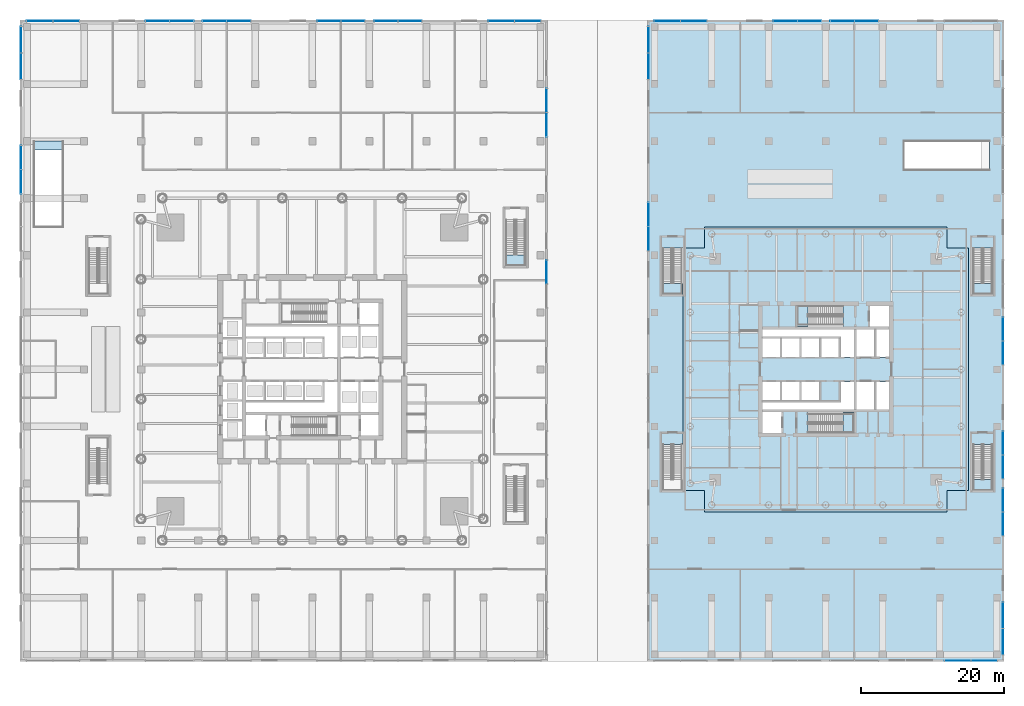
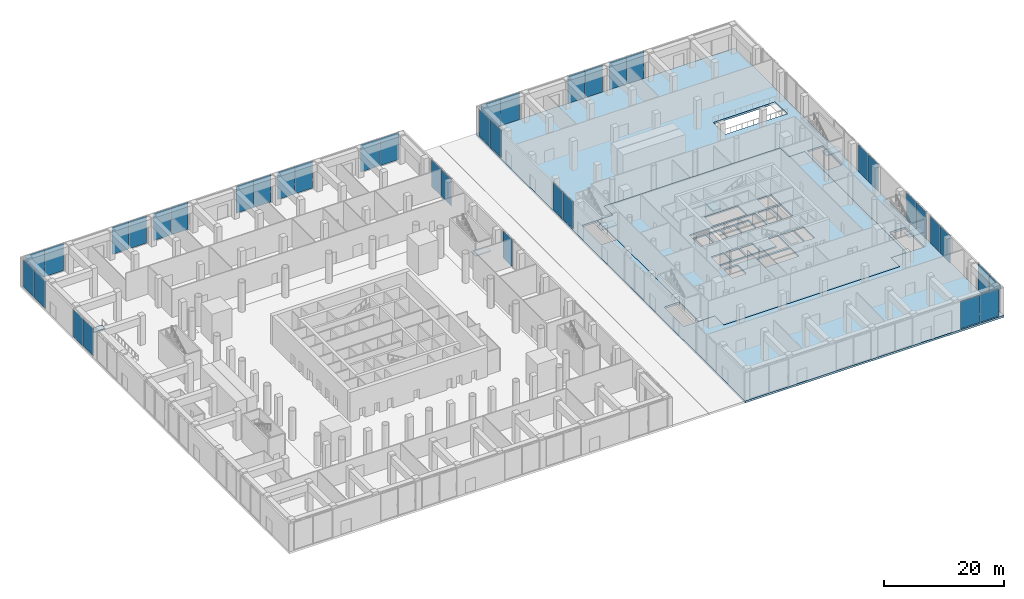
# One storey, part 22 of 39: 40 plates, 8 slabs, 26 elements without a shape of their own.
"""IFC4 building model written with IfcOpenShell, lengths in metres."""

from ifc_helpers import new_model, si_unit, direction, frame, origin, origin_2d, place, context, subcontext, project, spatial, polyline, rectangle, outline, extrude, material, layer, layer_set, type_object, element, aggregate, save


model = new_model("IFC4")

# Units and contexts
model_context = context("Model", 3, precision=1e-05, world=origin(), true_north=direction((0.0, 1.0)))
body_context = subcontext(model_context, "Body", "Model", "MODEL_VIEW")
ifc_project = project(units=[si_unit("LENGTHUNIT", "METRE"), si_unit("AREAUNIT", "SQUARE_METRE"), si_unit("VOLUMEUNIT", "CUBIC_METRE"), si_unit("PLANEANGLEUNIT", "RADIAN"), si_unit("MASSUNIT", "GRAM", prefix="KILO")], contexts=[model_context])

# Site, building, storey
site_placement = place(None, origin())
site = spatial("IfcSite", under=ifc_project, at=site_placement, CompositionType="ELEMENT")
building_placement = place(site_placement, origin())
building = spatial("IfcBuilding", under=site, at=building_placement, Name="Ostroluk Exchange", CompositionType="ELEMENT")
storey_placement = place(building_placement, origin())
storey = spatial("IfcBuildingStorey", under=building, at=storey_placement, Name="L00", CompositionType="ELEMENT", Elevation=0.0)

# Plate
ifc_material_1 = material(Name="Steel chequer plate", Category="steel")
ifc_layer_1 = layer(ifc_material_1, 0.10009765625)
ifc_layer_set_1 = layer_set([ifc_layer_1], Name="Escalator landing plate")
plate_type_1 = type_object("IfcPlateType", Name="Escalator landing plate", PredefinedType="USERDEFINED", material=ifc_layer_set_1)
plate_1_placement = place(storey_placement, frame((8.0, 77.39990234375, -0.10009765625), z_axis=(0.0, 0.0, 1.0), x_axis=(1.0, 0.0, 0.0)))
element("IfcPlate", 1, at=plate_1_placement, inside=storey, type_object=plate_type_1, Name="Escalator ES1 landing plate", ObjectType="ESCALATOR LANDING PLATE", PredefinedType="USERDEFINED", context=body_context, shape_type="SweptSolid", body=[
    extrude(rectangle(XDim=4.0, YDim=1.199951171875, at=origin_2d()), origin(), (0.0, 0.0, 1.0), 0.10009765625),
])

# Slab
ifc_material_2 = material(Name="Concrete C35/45", Category="concrete")
ifc_layer_2 = layer(ifc_material_2, 0.39990234375)
ifc_layer_set_2 = layer_set([ifc_layer_2], Name="Podium flat slab 400")
slab_type_1 = type_object("IfcSlabType", Name="Podium flat slab 400", PredefinedType="FLOOR", material=ifc_layer_set_2)
slab_1_placement = place(storey_placement, frame((0.0, 0.0, -0.39990234375)))
element("IfcSlab", 2, at=slab_1_placement, inside=storey, type_object=slab_type_1, Name="Podium slab L00", PredefinedType="FLOOR", context=body_context, shape_type="SweptSolid", body=[
    extrude(outline(polyline([(142.0, 5.0), (92.0, 5.0), (92.0, 95.0), (142.0, 95.0), (142.0, 5.0)]), holes=[polyline([(97.0, 35.489990234375), (94.0, 35.489990234375), (94.0, 29.0), (100.0, 29.0), (100.0, 26.0), (134.0, 26.0), (134.0, 29.0), (137.0, 29.0), (137.0, 63.0), (134.0, 63.0), (134.0, 66.0), (100.0, 66.0), (100.0, 63.0), (97.0, 63.0), (97.0, 62.989990234375), (94.0, 62.989990234375), (94.0, 56.5), (97.0, 56.5), (97.0, 35.489990234375)]), polyline([(137.5, 29.0), (140.5, 29.0), (140.5, 35.489990234375), (137.5, 35.489990234375), (137.5, 29.0)]), polyline([(137.5, 62.989990234375), (137.5, 56.5), (140.5, 56.5), (140.5, 62.989990234375), (137.5, 62.989990234375)]), polyline([(140.0, 74.0), (140.0, 78.0), (128.0, 78.0), (128.0, 74.0), (140.0, 74.0)])]), origin(), (0.0, 0.0, 1.0), 0.39990234375),
])

# Stair, slab
ifc_material_3 = material(Name="Concrete C30/37", Category="concrete")
stair_type = type_object("IfcStairType", Name="Exit stair half turn 6000", PredefinedType="HALF_TURN_STAIR", material=ifc_material_3)
stair_1_placement = place(storey_placement, origin())
stair_1 = element("IfcStair", 3, at=stair_1_placement, inside=storey, type_object=stair_type, Name="Stair T2-S1 L00", PredefinedType="HALF_TURN_STAIR")
ifc_material_4 = material(Name="Concrete C30/37", Category="concrete")
ifc_layer_3 = layer(ifc_material_4, 0.199951171875)
ifc_layer_set_3 = layer_set([ifc_layer_3], Name="Stair landing 200")
slab_type_2 = type_object("IfcSlabType", Name="Stair landing 200", PredefinedType="LANDING", material=ifc_layer_set_3)
slab_2_placement = place(storey_placement, frame((0.0, 0.0, 2.800048828125)))
slab_2 = element("IfcSlab", 4, at=slab_2_placement, type_object=slab_type_2, Name="T2-S1 landing 1", PredefinedType="LANDING", context=body_context, shape_type="SweptSolid", body=[
    extrude(outline(polyline([(119.429931640625, 37.10009765625), (119.429931640625, 40.0), (120.929931640625, 40.0), (120.929931640625, 37.10009765625), (119.429931640625, 37.10009765625)])), origin(), (0.0, 0.0, 1.0), 0.199951171875),
])
aggregate(stair_1, [slab_2])

stair_2_placement = place(storey_placement, origin())
stair_2 = element("IfcStair", 5, at=stair_2_placement, inside=storey, type_object=stair_type, Name="Stair T2-S2 L00", PredefinedType="HALF_TURN_STAIR")
slab_3_placement = place(storey_placement, frame((0.0, 0.0, 2.800048828125)))
slab_3 = element("IfcSlab", 6, at=slab_3_placement, type_object=slab_type_2, Name="T2-S2 landing 1", PredefinedType="LANDING", context=body_context, shape_type="SweptSolid", body=[
    extrude(outline(polyline([(114.5, 52.0), (114.5, 54.89990234375), (113.0, 54.89990234375), (113.0, 52.0), (114.5, 52.0)])), origin(), (0.0, 0.0, 1.0), 0.199951171875),
])
aggregate(stair_2, [slab_3])

stair_3_placement = place(storey_placement, origin())
stair_3 = element("IfcStair", 7, at=stair_3_placement, inside=storey, type_object=stair_type, Name="Stair PS4 L00", PredefinedType="HALF_TURN_STAIR")
slab_4_placement = place(storey_placement, frame((0.0, 0.0, 2.800048828125)))
slab_4 = element("IfcSlab", 8, at=slab_4_placement, type_object=slab_type_2, Name="PS4 landing 1", PredefinedType="LANDING", context=body_context, shape_type="SweptSolid", body=[
    extrude(outline(polyline([(72.0, 62.070068359375), (75.0, 62.070068359375), (75.0, 60.5), (72.0, 60.5), (72.0, 62.070068359375)])), origin(), (0.0, 0.0, 1.0), 0.199951171875),
])
aggregate(stair_3, [slab_4])

stair_4_placement = place(storey_placement, origin())
stair_4 = element("IfcStair", 9, at=stair_4_placement, inside=storey, type_object=stair_type, Name="Stair PS6 L00", PredefinedType="HALF_TURN_STAIR")
slab_5_placement = place(storey_placement, frame((0.0, 0.0, 2.800048828125)))
slab_5 = element("IfcSlab", 10, at=slab_5_placement, type_object=slab_type_2, Name="PS6 landing 1", PredefinedType="LANDING", context=body_context, shape_type="SweptSolid", body=[
    extrude(outline(polyline([(94.0, 58.070068359375), (97.0, 58.070068359375), (97.0, 56.5), (94.0, 56.5), (94.0, 58.070068359375)])), origin(), (0.0, 0.0, 1.0), 0.199951171875),
])
aggregate(stair_4, [slab_5])

stair_5_placement = place(storey_placement, origin())
stair_5 = element("IfcStair", 11, at=stair_5_placement, inside=storey, type_object=stair_type, Name="Stair PS7 L00", PredefinedType="HALF_TURN_STAIR")
slab_6_placement = place(storey_placement, frame((0.0, 0.0, 2.800048828125)))
slab_6 = element("IfcSlab", 12, at=slab_6_placement, type_object=slab_type_2, Name="PS7 landing 1", PredefinedType="LANDING", context=body_context, shape_type="SweptSolid", body=[
    extrude(outline(polyline([(137.5, 30.570068359375), (140.5, 30.570068359375), (140.5, 29.0), (137.5, 29.0), (137.5, 30.570068359375)])), origin(), (0.0, 0.0, 1.0), 0.199951171875),
])
aggregate(stair_5, [slab_6])

stair_6_placement = place(storey_placement, origin())
stair_6 = element("IfcStair", 13, at=stair_6_placement, inside=storey, type_object=stair_type, Name="Stair PS8 L00", PredefinedType="HALF_TURN_STAIR")
slab_7_placement = place(storey_placement, frame((0.0, 0.0, 2.800048828125)))
slab_7 = element("IfcSlab", 14, at=slab_7_placement, type_object=slab_type_2, Name="PS8 landing 1", PredefinedType="LANDING", context=body_context, shape_type="SweptSolid", body=[
    extrude(outline(polyline([(137.5, 58.070068359375), (140.5, 58.070068359375), (140.5, 56.5), (137.5, 56.5), (137.5, 58.070068359375)])), origin(), (0.0, 0.0, 1.0), 0.199951171875),
])
aggregate(stair_6, [slab_7])

# Curtain wall, plate
ifc_material_5 = material(Name="Laminated clear glass", Category="glass")
curtain_wall_type = type_object("IfcCurtainWallType", Name="Podium shopfront", PredefinedType="USERDEFINED", material=ifc_material_5)
curtain_wall_1_placement = place(storey_placement, origin())
curtain_wall_1 = element("IfcCurtainWall", 15, at=curtain_wall_1_placement, inside=storey, type_object=curtain_wall_type, Name="Podium west E shopfront 3", ObjectType="STICK SHOPFRONT", PredefinedType="USERDEFINED")
ifc_material_6 = material(Name="Laminated clear glass", Category="glass")
ifc_layer_4 = layer(ifc_material_6, 0.02392578125)
ifc_layer_set_4 = layer_set([ifc_layer_4], Name="Toughened laminated shopfront glass 24")
plate_type_2 = type_object("IfcPlateType", Name="Toughened laminated shopfront glass 24", PredefinedType="CURTAIN_PANEL", material=ifc_layer_set_4)
plate_2_placement = place(storey_placement, frame((77.85009765625, 59.68505859375, 0.06005859375), z_axis=(0.0, 0.0, 1.0), x_axis=(0.0, 1.0, 0.0)))
plate_2 = element("IfcPlate", 16, at=plate_2_placement, type_object=plate_type_2, Name="CW-SF1 panel 2.1", PredefinedType="CURTAIN_PANEL", context=body_context, shape_type="SweptSolid", body=[
    extrude(rectangle(XDim=3.31005859375, YDim=0.02392578125, at=origin_2d()), origin(), (0.0, 0.0, 1.0), 5.580078125),
])
aggregate(curtain_wall_1, [plate_2])

# Curtain wall, plates
curtain_wall_2_placement = place(storey_placement, origin())
curtain_wall_2 = element("IfcCurtainWall", 17, at=curtain_wall_2_placement, inside=storey, type_object=curtain_wall_type, Name="Podium west E shopfront 4", ObjectType="STICK SHOPFRONT", PredefinedType="USERDEFINED")
plate_3_placement = place(storey_placement, frame((77.85009765625, 80.31494140625, 0.06005859375), z_axis=(0.0, 0.0, 1.0), x_axis=(0.0, 1.0, 0.0)))
plate_3 = element("IfcPlate", 18, at=plate_3_placement, type_object=plate_type_2, Name="CW-SF1 panel 1.1", PredefinedType="CURTAIN_PANEL", context=body_context, shape_type="SweptSolid", body=[
    extrude(rectangle(XDim=3.31005859375, YDim=0.02392578125, at=origin_2d()), origin(), (0.0, 0.0, 1.0), 5.580078125),
])
plate_4_placement = place(storey_placement, frame((77.85009765625, 83.68505859375, 0.06005859375), z_axis=(0.0, 0.0, 1.0), x_axis=(0.0, 1.0, 0.0)))
plate_4 = element("IfcPlate", 19, at=plate_4_placement, type_object=plate_type_2, Name="CW-SF1 panel 2.1", PredefinedType="CURTAIN_PANEL", context=body_context, shape_type="SweptSolid", body=[
    extrude(rectangle(XDim=3.31005859375, YDim=0.02392578125, at=origin_2d()), origin(), (0.0, 0.0, 1.0), 5.580078125),
])
aggregate(curtain_wall_2, [plate_3, plate_4])

curtain_wall_3_placement = place(storey_placement, origin())
curtain_wall_3 = element("IfcCurtainWall", 20, at=curtain_wall_3_placement, inside=storey, type_object=curtain_wall_type, Name="Podium west N shopfront 1", ObjectType="STICK SHOPFRONT", PredefinedType="USERDEFINED")
plate_5_placement = place(storey_placement, frame((75.2099609375, 94.85009765625, 0.06005859375), z_axis=(0.0, 0.0, 1.0), x_axis=(-1.0, 0.0, 0.0)))
plate_5 = element("IfcPlate", 21, at=plate_5_placement, type_object=plate_type_2, Name="CW-SF1 panel 1.1", PredefinedType="CURTAIN_PANEL", context=body_context, shape_type="SweptSolid", body=[
    extrude(rectangle(XDim=3.659912109375, YDim=0.02392578125, at=origin_2d()), origin(), (0.0, 0.0, 1.0), 5.580078125),
])
plate_6_placement = place(storey_placement, frame((71.489990234375, 94.85009765625, 0.06005859375), z_axis=(0.0, 0.0, 1.0), x_axis=(-1.0, 0.0, 0.0)))
plate_6 = element("IfcPlate", 22, at=plate_6_placement, type_object=plate_type_2, Name="CW-SF1 panel 2.1", PredefinedType="CURTAIN_PANEL", context=body_context, shape_type="SweptSolid", body=[
    extrude(rectangle(XDim=3.659912109375, YDim=0.02392578125, at=origin_2d()), origin(), (0.0, 0.0, 1.0), 5.580078125),
])
aggregate(curtain_wall_3, [plate_5, plate_6])

curtain_wall_4_placement = place(storey_placement, origin())
curtain_wall_4 = element("IfcCurtainWall", 23, at=curtain_wall_4_placement, inside=storey, type_object=curtain_wall_type, Name="Podium west N shopfront 2", ObjectType="STICK SHOPFRONT", PredefinedType="USERDEFINED")
plate_7_placement = place(storey_placement, frame((58.68505859375, 94.85009765625, 0.06005859375), z_axis=(0.0, 0.0, 1.0), x_axis=(-1.0, 0.0, 0.0)))
plate_7 = element("IfcPlate", 24, at=plate_7_placement, type_object=plate_type_2, Name="CW-SF1 panel 1.1", PredefinedType="CURTAIN_PANEL", context=body_context, shape_type="SweptSolid", body=[
    extrude(rectangle(XDim=3.31005859375, YDim=0.02392578125, at=origin_2d()), origin(), (0.0, 0.0, 1.0), 5.580078125),
])
plate_8_placement = place(storey_placement, frame((55.31494140625, 94.85009765625, 0.06005859375), z_axis=(0.0, 0.0, 1.0), x_axis=(-1.0, 0.0, 0.0)))
plate_8 = element("IfcPlate", 25, at=plate_8_placement, type_object=plate_type_2, Name="CW-SF1 panel 2.1", PredefinedType="CURTAIN_PANEL", context=body_context, shape_type="SweptSolid", body=[
    extrude(rectangle(XDim=3.31005859375, YDim=0.02392578125, at=origin_2d()), origin(), (0.0, 0.0, 1.0), 5.580078125),
])
aggregate(curtain_wall_4, [plate_7, plate_8])

curtain_wall_5_placement = place(storey_placement, origin())
curtain_wall_5 = element("IfcCurtainWall", 26, at=curtain_wall_5_placement, inside=storey, type_object=curtain_wall_type, Name="Podium west N shopfront 3", ObjectType="STICK SHOPFRONT", PredefinedType="USERDEFINED")
plate_9_placement = place(storey_placement, frame((50.68505859375, 94.85009765625, 0.06005859375), z_axis=(0.0, 0.0, 1.0), x_axis=(-1.0, 0.0, 0.0)))
plate_9 = element("IfcPlate", 27, at=plate_9_placement, type_object=plate_type_2, Name="CW-SF1 panel 1.1", PredefinedType="CURTAIN_PANEL", context=body_context, shape_type="SweptSolid", body=[
    extrude(rectangle(XDim=3.31005859375, YDim=0.02392578125, at=origin_2d()), origin(), (0.0, 0.0, 1.0), 5.580078125),
])
plate_10_placement = place(storey_placement, frame((47.31494140625, 94.85009765625, 0.06005859375), z_axis=(0.0, 0.0, 1.0), x_axis=(-1.0, 0.0, 0.0)))
plate_10 = element("IfcPlate", 28, at=plate_10_placement, type_object=plate_type_2, Name="CW-SF1 panel 2.1", PredefinedType="CURTAIN_PANEL", context=body_context, shape_type="SweptSolid", body=[
    extrude(rectangle(XDim=3.31005859375, YDim=0.02392578125, at=origin_2d()), origin(), (0.0, 0.0, 1.0), 5.580078125),
])
aggregate(curtain_wall_5, [plate_9, plate_10])

curtain_wall_6_placement = place(storey_placement, origin())
curtain_wall_6 = element("IfcCurtainWall", 29, at=curtain_wall_6_placement, inside=storey, type_object=curtain_wall_type, Name="Podium west N shopfront 4", ObjectType="STICK SHOPFRONT", PredefinedType="USERDEFINED")
plate_11_placement = place(storey_placement, frame((34.68505859375, 94.85009765625, 0.06005859375), z_axis=(0.0, 0.0, 1.0), x_axis=(-1.0, 0.0, 0.0)))
plate_11 = element("IfcPlate", 30, at=plate_11_placement, type_object=plate_type_2, Name="CW-SF1 panel 1.1", PredefinedType="CURTAIN_PANEL", context=body_context, shape_type="SweptSolid", body=[
    extrude(rectangle(XDim=3.31005859375, YDim=0.02392578125, at=origin_2d()), origin(), (0.0, 0.0, 1.0), 5.580078125),
])
plate_12_placement = place(storey_placement, frame((31.31494140625, 94.85009765625, 0.06005859375), z_axis=(0.0, 0.0, 1.0), x_axis=(-1.0, 0.0, 0.0)))
plate_12 = element("IfcPlate", 31, at=plate_12_placement, type_object=plate_type_2, Name="CW-SF1 panel 2.1", PredefinedType="CURTAIN_PANEL", context=body_context, shape_type="SweptSolid", body=[
    extrude(rectangle(XDim=3.31005859375, YDim=0.02392578125, at=origin_2d()), origin(), (0.0, 0.0, 1.0), 5.580078125),
])
aggregate(curtain_wall_6, [plate_11, plate_12])

curtain_wall_7_placement = place(storey_placement, origin())
curtain_wall_7 = element("IfcCurtainWall", 32, at=curtain_wall_7_placement, inside=storey, type_object=curtain_wall_type, Name="Podium west N shopfront 5", ObjectType="STICK SHOPFRONT", PredefinedType="USERDEFINED")
plate_13_placement = place(storey_placement, frame((26.68505859375, 94.85009765625, 0.06005859375), z_axis=(0.0, 0.0, 1.0), x_axis=(-1.0, 0.0, 0.0)))
plate_13 = element("IfcPlate", 33, at=plate_13_placement, type_object=plate_type_2, Name="CW-SF1 panel 1.1", PredefinedType="CURTAIN_PANEL", context=body_context, shape_type="SweptSolid", body=[
    extrude(rectangle(XDim=3.31005859375, YDim=0.02392578125, at=origin_2d()), origin(), (0.0, 0.0, 1.0), 5.580078125),
])
plate_14_placement = place(storey_placement, frame((23.31494140625, 94.85009765625, 0.06005859375), z_axis=(0.0, 0.0, 1.0), x_axis=(-1.0, 0.0, 0.0)))
plate_14 = element("IfcPlate", 34, at=plate_14_placement, type_object=plate_type_2, Name="CW-SF1 panel 2.1", PredefinedType="CURTAIN_PANEL", context=body_context, shape_type="SweptSolid", body=[
    extrude(rectangle(XDim=3.31005859375, YDim=0.02392578125, at=origin_2d()), origin(), (0.0, 0.0, 1.0), 5.580078125),
])
aggregate(curtain_wall_7, [plate_13, plate_14])

curtain_wall_8_placement = place(storey_placement, origin())
curtain_wall_8 = element("IfcCurtainWall", 35, at=curtain_wall_8_placement, inside=storey, type_object=curtain_wall_type, Name="Podium west N shopfront 6", ObjectType="STICK SHOPFRONT", PredefinedType="USERDEFINED")
plate_15_placement = place(storey_placement, frame((10.510009765625, 94.85009765625, 0.06005859375), z_axis=(0.0, 0.0, 1.0), x_axis=(-1.0, 0.0, 0.0)))
plate_15 = element("IfcPlate", 36, at=plate_15_placement, type_object=plate_type_2, Name="CW-SF1 panel 1.1", PredefinedType="CURTAIN_PANEL", context=body_context, shape_type="SweptSolid", body=[
    extrude(rectangle(XDim=3.659912109375, YDim=0.02392578125, at=origin_2d()), origin(), (0.0, 0.0, 1.0), 5.580078125),
])
plate_16_placement = place(storey_placement, frame((6.7900390625, 94.85009765625, 0.06005859375), z_axis=(0.0, 0.0, 1.0), x_axis=(-1.0, 0.0, 0.0)))
plate_16 = element("IfcPlate", 37, at=plate_16_placement, type_object=plate_type_2, Name="CW-SF1 panel 2.1", PredefinedType="CURTAIN_PANEL", context=body_context, shape_type="SweptSolid", body=[
    extrude(rectangle(XDim=3.659912109375, YDim=0.02392578125, at=origin_2d()), origin(), (0.0, 0.0, 1.0), 5.580078125),
])
aggregate(curtain_wall_8, [plate_15, plate_16])

curtain_wall_9_placement = place(storey_placement, origin())
curtain_wall_9 = element("IfcCurtainWall", 38, at=curtain_wall_9_placement, inside=storey, type_object=curtain_wall_type, Name="Podium west W shopfront 1", ObjectType="STICK SHOPFRONT", PredefinedType="USERDEFINED")
plate_17_placement = place(storey_placement, frame((4.14990234375, 92.2099609375, 0.06005859375), z_axis=(0.0, 0.0, 1.0), x_axis=(0.0, -1.0, 0.0)))
plate_17 = element("IfcPlate", 39, at=plate_17_placement, type_object=plate_type_2, Name="CW-SF1 panel 1.1", PredefinedType="CURTAIN_PANEL", context=body_context, shape_type="SweptSolid", body=[
    extrude(rectangle(XDim=3.659912109375, YDim=0.02392578125, at=origin_2d()), origin(), (0.0, 0.0, 1.0), 5.580078125),
])
plate_18_placement = place(storey_placement, frame((4.14990234375, 88.489990234375, 0.06005859375), z_axis=(0.0, 0.0, 1.0), x_axis=(0.0, -1.0, 0.0)))
plate_18 = element("IfcPlate", 40, at=plate_18_placement, type_object=plate_type_2, Name="CW-SF1 panel 2.1", PredefinedType="CURTAIN_PANEL", context=body_context, shape_type="SweptSolid", body=[
    extrude(rectangle(XDim=3.659912109375, YDim=0.02392578125, at=origin_2d()), origin(), (0.0, 0.0, 1.0), 5.580078125),
])
aggregate(curtain_wall_9, [plate_17, plate_18])

curtain_wall_10_placement = place(storey_placement, origin())
curtain_wall_10 = element("IfcCurtainWall", 41, at=curtain_wall_10_placement, inside=storey, type_object=curtain_wall_type, Name="Podium west W shopfront 2", ObjectType="STICK SHOPFRONT", PredefinedType="USERDEFINED")
plate_19_placement = place(storey_placement, frame((4.14990234375, 75.68505859375, 0.06005859375), z_axis=(0.0, 0.0, 1.0), x_axis=(0.0, -1.0, 0.0)))
plate_19 = element("IfcPlate", 42, at=plate_19_placement, type_object=plate_type_2, Name="CW-SF1 panel 1.1", PredefinedType="CURTAIN_PANEL", context=body_context, shape_type="SweptSolid", body=[
    extrude(rectangle(XDim=3.31005859375, YDim=0.02392578125, at=origin_2d()), origin(), (0.0, 0.0, 1.0), 5.580078125),
])
plate_20_placement = place(storey_placement, frame((4.14990234375, 72.31494140625, 0.06005859375), z_axis=(0.0, 0.0, 1.0), x_axis=(0.0, -1.0, 0.0)))
plate_20 = element("IfcPlate", 43, at=plate_20_placement, type_object=plate_type_2, Name="CW-SF1 panel 2.1", PredefinedType="CURTAIN_PANEL", context=body_context, shape_type="SweptSolid", body=[
    extrude(rectangle(XDim=3.31005859375, YDim=0.02392578125, at=origin_2d()), origin(), (0.0, 0.0, 1.0), 5.580078125),
])
aggregate(curtain_wall_10, [plate_19, plate_20])

curtain_wall_11_placement = place(storey_placement, origin())
curtain_wall_11 = element("IfcCurtainWall", 44, at=curtain_wall_11_placement, inside=storey, type_object=curtain_wall_type, Name="Podium east S shopfront 4", ObjectType="STICK SHOPFRONT", PredefinedType="USERDEFINED")
plate_21_placement = place(storey_placement, frame((135.489990234375, 5.14990234375, 0.06005859375), z_axis=(0.0, 0.0, 1.0), x_axis=(1.0, 0.0, 0.0)))
plate_21 = element("IfcPlate", 45, at=plate_21_placement, type_object=plate_type_2, Name="CW-SF1 panel 1.1", PredefinedType="CURTAIN_PANEL", context=body_context, shape_type="SweptSolid", body=[
    extrude(rectangle(XDim=3.659912109375, YDim=0.02392578125, at=origin_2d()), origin(), (0.0, 0.0, 1.0), 5.580078125),
])
plate_22_placement = place(storey_placement, frame((139.2099609375, 5.14990234375, 0.06005859375), z_axis=(0.0, 0.0, 1.0), x_axis=(1.0, 0.0, 0.0)))
plate_22 = element("IfcPlate", 46, at=plate_22_placement, type_object=plate_type_2, Name="CW-SF1 panel 2.1", PredefinedType="CURTAIN_PANEL", context=body_context, shape_type="SweptSolid", body=[
    extrude(rectangle(XDim=3.659912109375, YDim=0.02392578125, at=origin_2d()), origin(), (0.0, 0.0, 1.0), 5.580078125),
])
aggregate(curtain_wall_11, [plate_21, plate_22])

curtain_wall_12_placement = place(storey_placement, origin())
curtain_wall_12 = element("IfcCurtainWall", 47, at=curtain_wall_12_placement, inside=storey, type_object=curtain_wall_type, Name="Podium east E shopfront 1", ObjectType="STICK SHOPFRONT", PredefinedType="USERDEFINED")
plate_23_placement = place(storey_placement, frame((141.85009765625, 7.7900390625, 0.06005859375), z_axis=(0.0, 0.0, 1.0), x_axis=(0.0, 1.0, 0.0)))
plate_23 = element("IfcPlate", 48, at=plate_23_placement, type_object=plate_type_2, Name="CW-SF1 panel 1.1", PredefinedType="CURTAIN_PANEL", context=body_context, shape_type="SweptSolid", body=[
    extrude(rectangle(XDim=3.659912109375, YDim=0.02392578125, at=origin_2d()), origin(), (0.0, 0.0, 1.0), 5.580078125),
])
plate_24_placement = place(storey_placement, frame((141.85009765625, 11.510009765625, 0.06005859375), z_axis=(0.0, 0.0, 1.0), x_axis=(0.0, 1.0, 0.0)))
plate_24 = element("IfcPlate", 49, at=plate_24_placement, type_object=plate_type_2, Name="CW-SF1 panel 2.1", PredefinedType="CURTAIN_PANEL", context=body_context, shape_type="SweptSolid", body=[
    extrude(rectangle(XDim=3.659912109375, YDim=0.02392578125, at=origin_2d()), origin(), (0.0, 0.0, 1.0), 5.580078125),
])
aggregate(curtain_wall_12, [plate_23, plate_24])

curtain_wall_13_placement = place(storey_placement, origin())
curtain_wall_13 = element("IfcCurtainWall", 50, at=curtain_wall_13_placement, inside=storey, type_object=curtain_wall_type, Name="Podium east E shopfront 2", ObjectType="STICK SHOPFRONT", PredefinedType="USERDEFINED")
plate_25_placement = place(storey_placement, frame((141.85009765625, 24.31494140625, 0.06005859375), z_axis=(0.0, 0.0, 1.0), x_axis=(0.0, 1.0, 0.0)))
plate_25 = element("IfcPlate", 51, at=plate_25_placement, type_object=plate_type_2, Name="CW-SF1 panel 1.1", PredefinedType="CURTAIN_PANEL", context=body_context, shape_type="SweptSolid", body=[
    extrude(rectangle(XDim=3.31005859375, YDim=0.02392578125, at=origin_2d()), origin(), (0.0, 0.0, 1.0), 5.580078125),
])
plate_26_placement = place(storey_placement, frame((141.85009765625, 27.68505859375, 0.06005859375), z_axis=(0.0, 0.0, 1.0), x_axis=(0.0, 1.0, 0.0)))
plate_26 = element("IfcPlate", 52, at=plate_26_placement, type_object=plate_type_2, Name="CW-SF1 panel 2.1", PredefinedType="CURTAIN_PANEL", context=body_context, shape_type="SweptSolid", body=[
    extrude(rectangle(XDim=3.31005859375, YDim=0.02392578125, at=origin_2d()), origin(), (0.0, 0.0, 1.0), 5.580078125),
])
aggregate(curtain_wall_13, [plate_25, plate_26])

curtain_wall_14_placement = place(storey_placement, origin())
curtain_wall_14 = element("IfcCurtainWall", 53, at=curtain_wall_14_placement, inside=storey, type_object=curtain_wall_type, Name="Podium east E shopfront 3", ObjectType="STICK SHOPFRONT", PredefinedType="USERDEFINED")
plate_27_placement = place(storey_placement, frame((141.85009765625, 32.31494140625, 0.06005859375), z_axis=(0.0, 0.0, 1.0), x_axis=(0.0, 1.0, 0.0)))
plate_27 = element("IfcPlate", 54, at=plate_27_placement, type_object=plate_type_2, Name="CW-SF1 panel 1.1", PredefinedType="CURTAIN_PANEL", context=body_context, shape_type="SweptSolid", body=[
    extrude(rectangle(XDim=3.31005859375, YDim=0.02392578125, at=origin_2d()), origin(), (0.0, 0.0, 1.0), 5.580078125),
])
plate_28_placement = place(storey_placement, frame((141.85009765625, 35.68505859375, 0.06005859375), z_axis=(0.0, 0.0, 1.0), x_axis=(0.0, 1.0, 0.0)))
plate_28 = element("IfcPlate", 55, at=plate_28_placement, type_object=plate_type_2, Name="CW-SF1 panel 2.1", PredefinedType="CURTAIN_PANEL", context=body_context, shape_type="SweptSolid", body=[
    extrude(rectangle(XDim=3.31005859375, YDim=0.02392578125, at=origin_2d()), origin(), (0.0, 0.0, 1.0), 5.580078125),
])
aggregate(curtain_wall_14, [plate_27, plate_28])

curtain_wall_15_placement = place(storey_placement, origin())
curtain_wall_15 = element("IfcCurtainWall", 56, at=curtain_wall_15_placement, inside=storey, type_object=curtain_wall_type, Name="Podium east E shopfront 4", ObjectType="STICK SHOPFRONT", PredefinedType="USERDEFINED")
plate_29_placement = place(storey_placement, frame((141.85009765625, 48.31494140625, 0.06005859375), z_axis=(0.0, 0.0, 1.0), x_axis=(0.0, 1.0, 0.0)))
plate_29 = element("IfcPlate", 57, at=plate_29_placement, type_object=plate_type_2, Name="CW-SF1 panel 1.1", PredefinedType="CURTAIN_PANEL", context=body_context, shape_type="SweptSolid", body=[
    extrude(rectangle(XDim=3.31005859375, YDim=0.02392578125, at=origin_2d()), origin(), (0.0, 0.0, 1.0), 5.580078125),
])
plate_30_placement = place(storey_placement, frame((141.85009765625, 51.68505859375, 0.06005859375), z_axis=(0.0, 0.0, 1.0), x_axis=(0.0, 1.0, 0.0)))
plate_30 = element("IfcPlate", 58, at=plate_30_placement, type_object=plate_type_2, Name="CW-SF1 panel 2.1", PredefinedType="CURTAIN_PANEL", context=body_context, shape_type="SweptSolid", body=[
    extrude(rectangle(XDim=3.31005859375, YDim=0.02392578125, at=origin_2d()), origin(), (0.0, 0.0, 1.0), 5.580078125),
])
aggregate(curtain_wall_15, [plate_29, plate_30])

curtain_wall_16_placement = place(storey_placement, origin())
curtain_wall_16 = element("IfcCurtainWall", 59, at=curtain_wall_16_placement, inside=storey, type_object=curtain_wall_type, Name="Podium east N shopfront 2", ObjectType="STICK SHOPFRONT", PredefinedType="USERDEFINED")
plate_31_placement = place(storey_placement, frame((122.68505859375, 94.85009765625, 0.06005859375), z_axis=(0.0, 0.0, 1.0), x_axis=(-1.0, 0.0, 0.0)))
plate_31 = element("IfcPlate", 60, at=plate_31_placement, type_object=plate_type_2, Name="CW-SF1 panel 1.1", PredefinedType="CURTAIN_PANEL", context=body_context, shape_type="SweptSolid", body=[
    extrude(rectangle(XDim=3.31005859375, YDim=0.02392578125, at=origin_2d()), origin(), (0.0, 0.0, 1.0), 5.580078125),
])
plate_32_placement = place(storey_placement, frame((119.31494140625, 94.85009765625, 0.06005859375), z_axis=(0.0, 0.0, 1.0), x_axis=(-1.0, 0.0, 0.0)))
plate_32 = element("IfcPlate", 61, at=plate_32_placement, type_object=plate_type_2, Name="CW-SF1 panel 2.1", PredefinedType="CURTAIN_PANEL", context=body_context, shape_type="SweptSolid", body=[
    extrude(rectangle(XDim=3.31005859375, YDim=0.02392578125, at=origin_2d()), origin(), (0.0, 0.0, 1.0), 5.580078125),
])
aggregate(curtain_wall_16, [plate_31, plate_32])

curtain_wall_17_placement = place(storey_placement, origin())
curtain_wall_17 = element("IfcCurtainWall", 62, at=curtain_wall_17_placement, inside=storey, type_object=curtain_wall_type, Name="Podium east N shopfront 3", ObjectType="STICK SHOPFRONT", PredefinedType="USERDEFINED")
plate_33_placement = place(storey_placement, frame((114.68505859375, 94.85009765625, 0.06005859375), z_axis=(0.0, 0.0, 1.0), x_axis=(-1.0, 0.0, 0.0)))
plate_33 = element("IfcPlate", 63, at=plate_33_placement, type_object=plate_type_2, Name="CW-SF1 panel 1.1", PredefinedType="CURTAIN_PANEL", context=body_context, shape_type="SweptSolid", body=[
    extrude(rectangle(XDim=3.31005859375, YDim=0.02392578125, at=origin_2d()), origin(), (0.0, 0.0, 1.0), 5.580078125),
])
plate_34_placement = place(storey_placement, frame((111.31494140625, 94.85009765625, 0.06005859375), z_axis=(0.0, 0.0, 1.0), x_axis=(-1.0, 0.0, 0.0)))
plate_34 = element("IfcPlate", 64, at=plate_34_placement, type_object=plate_type_2, Name="CW-SF1 panel 2.1", PredefinedType="CURTAIN_PANEL", context=body_context, shape_type="SweptSolid", body=[
    extrude(rectangle(XDim=3.31005859375, YDim=0.02392578125, at=origin_2d()), origin(), (0.0, 0.0, 1.0), 5.580078125),
])
aggregate(curtain_wall_17, [plate_33, plate_34])

curtain_wall_18_placement = place(storey_placement, origin())
curtain_wall_18 = element("IfcCurtainWall", 65, at=curtain_wall_18_placement, inside=storey, type_object=curtain_wall_type, Name="Podium east N shopfront 4", ObjectType="STICK SHOPFRONT", PredefinedType="USERDEFINED")
plate_35_placement = place(storey_placement, frame((98.510009765625, 94.85009765625, 0.06005859375), z_axis=(0.0, 0.0, 1.0), x_axis=(-1.0, 0.0, 0.0)))
plate_35 = element("IfcPlate", 66, at=plate_35_placement, type_object=plate_type_2, Name="CW-SF1 panel 1.1", PredefinedType="CURTAIN_PANEL", context=body_context, shape_type="SweptSolid", body=[
    extrude(rectangle(XDim=3.659912109375, YDim=0.02392578125, at=origin_2d()), origin(), (0.0, 0.0, 1.0), 5.580078125),
])
plate_36_placement = place(storey_placement, frame((94.7900390625, 94.85009765625, 0.06005859375), z_axis=(0.0, 0.0, 1.0), x_axis=(-1.0, 0.0, 0.0)))
plate_36 = element("IfcPlate", 67, at=plate_36_placement, type_object=plate_type_2, Name="CW-SF1 panel 2.1", PredefinedType="CURTAIN_PANEL", context=body_context, shape_type="SweptSolid", body=[
    extrude(rectangle(XDim=3.659912109375, YDim=0.02392578125, at=origin_2d()), origin(), (0.0, 0.0, 1.0), 5.580078125),
])
aggregate(curtain_wall_18, [plate_35, plate_36])

curtain_wall_19_placement = place(storey_placement, origin())
curtain_wall_19 = element("IfcCurtainWall", 68, at=curtain_wall_19_placement, inside=storey, type_object=curtain_wall_type, Name="Podium east W shopfront 1", ObjectType="STICK SHOPFRONT", PredefinedType="USERDEFINED")
plate_37_placement = place(storey_placement, frame((92.14990234375, 92.2099609375, 0.06005859375), z_axis=(0.0, 0.0, 1.0), x_axis=(0.0, -1.0, 0.0)))
plate_37 = element("IfcPlate", 69, at=plate_37_placement, type_object=plate_type_2, Name="CW-SF1 panel 1.1", PredefinedType="CURTAIN_PANEL", context=body_context, shape_type="SweptSolid", body=[
    extrude(rectangle(XDim=3.659912109375, YDim=0.02392578125, at=origin_2d()), origin(), (0.0, 0.0, 1.0), 5.580078125),
])
plate_38_placement = place(storey_placement, frame((92.14990234375, 88.489990234375, 0.06005859375), z_axis=(0.0, 0.0, 1.0), x_axis=(0.0, -1.0, 0.0)))
plate_38 = element("IfcPlate", 70, at=plate_38_placement, type_object=plate_type_2, Name="CW-SF1 panel 2.1", PredefinedType="CURTAIN_PANEL", context=body_context, shape_type="SweptSolid", body=[
    extrude(rectangle(XDim=3.659912109375, YDim=0.02392578125, at=origin_2d()), origin(), (0.0, 0.0, 1.0), 5.580078125),
])
aggregate(curtain_wall_19, [plate_37, plate_38])

curtain_wall_20_placement = place(storey_placement, origin())
curtain_wall_20 = element("IfcCurtainWall", 71, at=curtain_wall_20_placement, inside=storey, type_object=curtain_wall_type, Name="Podium east W shopfront 2", ObjectType="STICK SHOPFRONT", PredefinedType="USERDEFINED")
plate_39_placement = place(storey_placement, frame((92.14990234375, 67.68505859375, 0.06005859375), z_axis=(0.0, 0.0, 1.0), x_axis=(0.0, -1.0, 0.0)))
plate_39 = element("IfcPlate", 72, at=plate_39_placement, type_object=plate_type_2, Name="CW-SF1 panel 1.1", PredefinedType="CURTAIN_PANEL", context=body_context, shape_type="SweptSolid", body=[
    extrude(rectangle(XDim=3.31005859375, YDim=0.02392578125, at=origin_2d()), origin(), (0.0, 0.0, 1.0), 5.580078125),
])
plate_40_placement = place(storey_placement, frame((92.14990234375, 64.31494140625, 0.06005859375), z_axis=(0.0, 0.0, 1.0), x_axis=(0.0, -1.0, 0.0)))
plate_40 = element("IfcPlate", 73, at=plate_40_placement, type_object=plate_type_2, Name="CW-SF1 panel 2.1", PredefinedType="CURTAIN_PANEL", context=body_context, shape_type="SweptSolid", body=[
    extrude(rectangle(XDim=3.31005859375, YDim=0.02392578125, at=origin_2d()), origin(), (0.0, 0.0, 1.0), 5.580078125),
])
aggregate(curtain_wall_20, [plate_39, plate_40])

# Slab
ifc_material_7 = material(Name="Concrete C35/45", Category="concrete")
ifc_layer_5 = layer(ifc_material_7, 0.300048828125)
ifc_layer_set_5 = layer_set([ifc_layer_5], Name="Tower floor slab 300")
slab_type_3 = type_object("IfcSlabType", Name="Tower floor slab 300", PredefinedType="FLOOR", material=ifc_layer_set_5)
slab_8_placement = place(storey_placement, frame((0.0, 0.0, -0.300048828125)))
element("IfcSlab", 74, at=slab_8_placement, inside=storey, type_object=slab_type_3, Name="Hotel tower floor slab L00", PredefinedType="FLOOR", context=body_context, shape_type="SweptSolid", body=[
    extrude(outline(polyline([(100.0, 26.0), (134.0, 26.0), (134.0, 29.0), (137.0, 29.0), (137.0, 63.0), (134.0, 63.0), (134.0, 66.0), (100.0, 66.0), (100.0, 63.0), (97.0, 63.0), (97.0, 29.0), (100.0, 29.0), (100.0, 26.0)]), holes=[polyline([(108.10009765625, 37.10009765625), (110.800048828125, 37.10009765625), (110.800048828125, 40.0), (108.10009765625, 40.0), (108.10009765625, 37.10009765625)]), polyline([(114.510009765625, 37.10009765625), (120.929931640625, 37.10009765625), (120.929931640625, 40.0), (114.510009765625, 40.0), (114.510009765625, 37.10009765625)]), polyline([(113.0, 52.0), (119.419921875, 52.0), (119.419921875, 54.89990234375), (113.0, 54.89990234375), (113.0, 52.0)]), polyline([(123.199951171875, 52.0), (125.89990234375, 52.0), (125.89990234375, 54.89990234375), (123.199951171875, 54.89990234375), (123.199951171875, 52.0)]), polyline([(108.10009765625, 47.75), (110.60009765625, 47.75), (110.60009765625, 50.35009765625), (108.10009765625, 50.35009765625), (108.10009765625, 47.75)]), polyline([(110.85009765625, 47.75), (113.35009765625, 47.75), (113.35009765625, 50.35009765625), (110.85009765625, 50.35009765625), (110.85009765625, 47.75)]), polyline([(113.60009765625, 47.75), (116.10009765625, 47.75), (116.10009765625, 50.35009765625), (113.60009765625, 50.35009765625), (113.60009765625, 47.75)]), polyline([(116.35009765625, 47.75), (118.85009765625, 47.75), (118.85009765625, 50.35009765625), (116.35009765625, 50.35009765625), (116.35009765625, 47.75)]), polyline([(108.10009765625, 41.64990234375), (110.60009765625, 41.64990234375), (110.60009765625, 44.25), (108.10009765625, 44.25), (108.10009765625, 41.64990234375)]), polyline([(110.85009765625, 41.64990234375), (113.35009765625, 41.64990234375), (113.35009765625, 44.25), (110.85009765625, 44.25), (110.85009765625, 41.64990234375)]), polyline([(113.60009765625, 41.64990234375), (116.10009765625, 41.64990234375), (116.10009765625, 44.25), (113.60009765625, 44.25), (113.60009765625, 41.64990234375)]), polyline([(121.330078125, 47.75), (123.830078125, 47.75), (123.830078125, 51.60009765625), (121.330078125, 51.60009765625), (121.330078125, 47.75)]), polyline([(121.330078125, 40.39990234375), (123.830078125, 40.39990234375), (123.830078125, 44.25), (121.330078125, 44.25), (121.330078125, 40.39990234375)]), polyline([(120.929931640625, 51.60009765625), (120.929931640625, 47.75), (119.10009765625, 47.75), (119.10009765625, 50.60009765625), (108.10009765625, 50.60009765625), (108.10009765625, 51.60009765625), (120.929931640625, 51.60009765625)]), polyline([(108.10009765625, 40.39990234375), (108.10009765625, 41.39990234375), (119.10009765625, 41.39990234375), (119.10009765625, 44.25), (120.929931640625, 44.25), (120.929931640625, 40.39990234375), (108.10009765625, 40.39990234375)]), polyline([(124.080078125, 47.75), (125.89990234375, 47.75), (125.89990234375, 51.60009765625), (124.080078125, 51.60009765625), (124.080078125, 47.75)]), polyline([(124.080078125, 40.39990234375), (125.89990234375, 40.39990234375), (125.89990234375, 44.25), (124.080078125, 44.25), (124.080078125, 40.39990234375)])]), origin(), (0.0, 0.0, 1.0), 0.300048828125),
])

save(model, "model.ifc")
